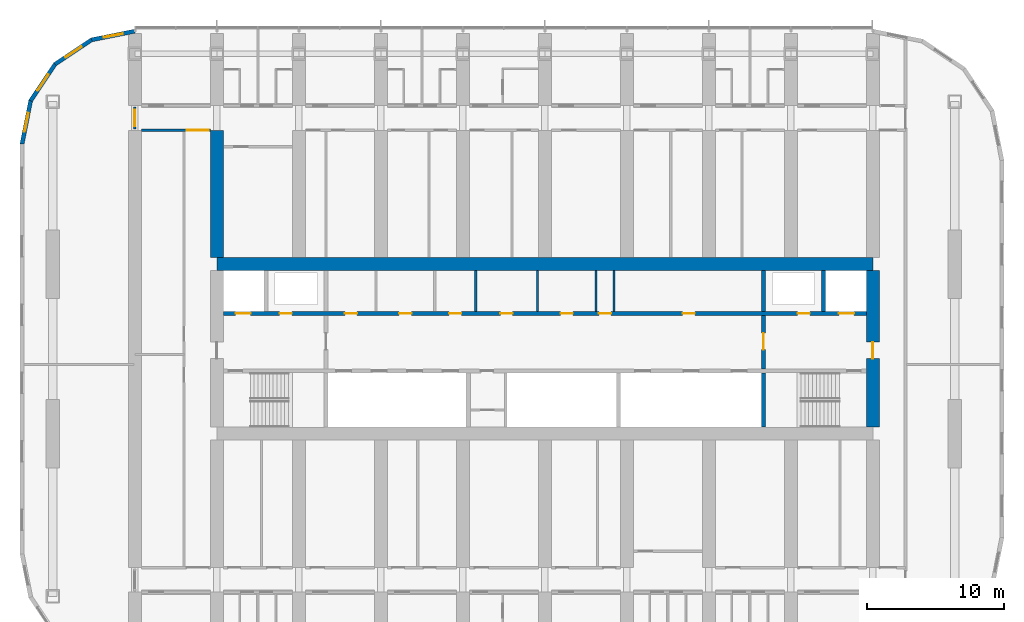
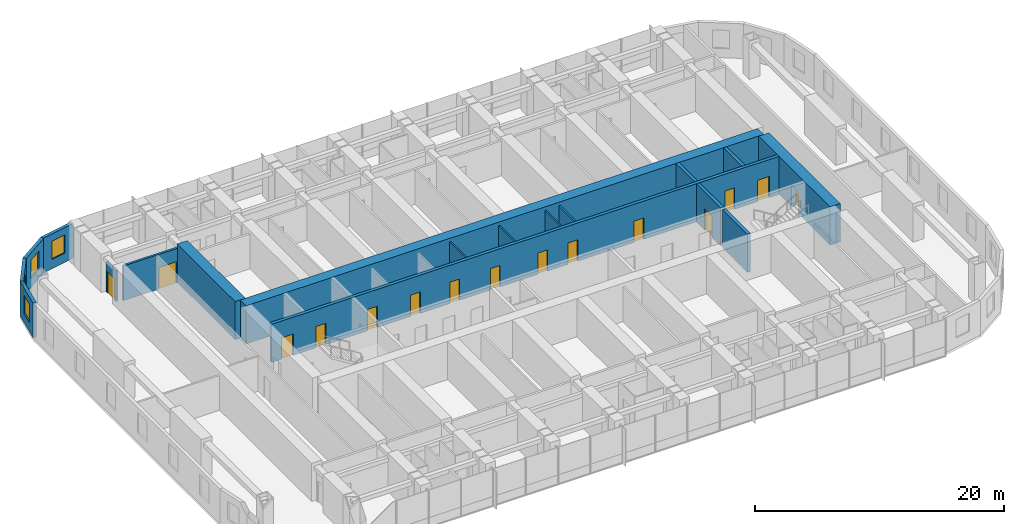
# One storey, part 12 of 20: 18 walls, 15 doors, 4 windows, 19 openings.
"""IFC4 building model written with IfcOpenShell, lengths in metres."""

from ifc_helpers import new_model, si_unit, direction, frame, frame_2d, origin, place, context, subcontext, project, spatial, polyline, rectangle, outline, extrude, material, layer, layer_set, type_object, element, fill, save


model = new_model("IFC4")

# Units and contexts
model_context = context("Model", 3, precision=1e-05, world=origin(), true_north=direction((0.0, 1.0)))
body_context = subcontext(model_context, "Body", "Model", "MODEL_VIEW")
ifc_project = project(units=[si_unit("LENGTHUNIT", "METRE"), si_unit("AREAUNIT", "SQUARE_METRE"), si_unit("VOLUMEUNIT", "CUBIC_METRE"), si_unit("PLANEANGLEUNIT", "RADIAN"), si_unit("MASSUNIT", "GRAM", prefix="KILO")], contexts=[model_context])

# Site, building, storey
site_placement = place(None, origin())
site = spatial("IfcSite", under=ifc_project, at=site_placement, CompositionType="ELEMENT")
building_placement = place(site_placement, origin())
building = spatial("IfcBuilding", under=site, at=building_placement, Name="Orbita Commons", CompositionType="ELEMENT")
storey_placement = place(building_placement, frame((0.0, 0.0, 129.39990234375)))
storey = spatial("IfcBuildingStorey", under=building, at=storey_placement, Name="L32", CompositionType="ELEMENT", Elevation=129.39990234375)

# Wall, openings, doors
ifc_material_1 = material(Name="Concrete C50/60", Category="concrete")
ifc_layer_1 = layer(ifc_material_1, 0.300048828125)
ifc_layer_set_1 = layer_set([ifc_layer_1], Name="Concrete C50/60")
wall_type_1 = type_object("IfcWallType", Name="Core inner wall 300 C50/60", PredefinedType="SHEAR", material=ifc_layer_set_1)
wall_1_placement = place(storey_placement, frame((18.47509765625, 34.60009765625, 0.0), z_axis=(0.0, 0.0, 1.0), x_axis=(1.0, 0.0, 0.0)))
wall_1 = element("IfcWall", 1, at=wall_1_placement, inside=storey, type_object=wall_type_1, Name="Lobby wall north L32", PredefinedType="SHEAR", context=body_context, shape_type="SweptSolid", body=[
    extrude(rectangle(XDim=47.0498046875, YDim=0.300048828125, at=frame_2d((23.52490234375, 0.0))), origin(), (0.0, 0.0, 1.0), 3.75),
])
opening_1_placement = place(wall_1_placement, frame((0.89990234375, 0.0, 0.0)))
opening_1 = element("IfcOpeningElement", 2, at=opening_1_placement, cuts=wall_1, Name="Opening LD01", PredefinedType="OPENING", context=body_context, shape_type="SweptSolid", body=[
    extrude(rectangle(XDim=1.10009765625, YDim=2.10009765625, at=frame_2d((0.550048828125, 1.050048828125))), frame((0.0, 0.159912109375, 0.0), z_axis=(0.0, -1.0, 0.0), x_axis=(1.0, 0.0, 0.0)), (0.0, 0.0, 1.0), 0.320068359375),
])
opening_2_placement = place(wall_1_placement, frame((45.050048828125, 0.0, 0.0)))
opening_2 = element("IfcOpeningElement", 3, at=opening_2_placement, cuts=wall_1, Name="Opening LD01", PredefinedType="OPENING", context=body_context, shape_type="SweptSolid", body=[
    extrude(rectangle(XDim=1.10009765625, YDim=2.10009765625, at=frame_2d((0.550048828125, 1.050048828125))), frame((0.0, 0.159912109375, 0.0), z_axis=(0.0, -1.0, 0.0), x_axis=(1.0, 0.0, 0.0)), (0.0, 0.0, 1.0), 0.320068359375),
])
opening_3_placement = place(wall_1_placement, frame((4.125, 0.0, 0.0)))
opening_3 = element("IfcOpeningElement", 4, at=opening_3_placement, cuts=wall_1, Name="Opening D03", PredefinedType="OPENING", context=body_context, shape_type="SweptSolid", body=[
    extrude(rectangle(XDim=0.89990234375, YDim=2.10009765625, at=frame_2d((0.449951171875, 1.050048828125))), frame((0.0, 0.159912109375, 0.0), z_axis=(0.0, -1.0, 0.0), x_axis=(1.0, 0.0, 0.0)), (0.0, 0.0, 1.0), 0.320068359375),
])
opening_4_placement = place(wall_1_placement, frame((42.02490234375, 0.0, 0.0)))
opening_4 = element("IfcOpeningElement", 5, at=opening_4_placement, cuts=wall_1, Name="Opening D03", PredefinedType="OPENING", context=body_context, shape_type="SweptSolid", body=[
    extrude(rectangle(XDim=0.89990234375, YDim=2.10009765625, at=frame_2d((0.449951171875, 1.050048828125))), frame((0.0, 0.159912109375, 0.0), z_axis=(0.0, -1.0, 0.0), x_axis=(1.0, 0.0, 0.0)), (0.0, 0.0, 1.0), 0.320068359375),
])
opening_5_placement = place(wall_1_placement, frame((8.900390625, 0.0, 0.0)))
opening_5 = element("IfcOpeningElement", 6, at=opening_5_placement, cuts=wall_1, Name="Opening D05", PredefinedType="OPENING", context=body_context, shape_type="SweptSolid", body=[
    extrude(rectangle(XDim=0.89990234375, YDim=2.10009765625, at=frame_2d((0.449951171875, 1.050048828125))), frame((0.0, 0.159912109375, 0.0), z_axis=(0.0, -1.0, 0.0), x_axis=(1.0, 0.0, 0.0)), (0.0, 0.0, 1.0), 0.320068359375),
])
opening_6_placement = place(wall_1_placement, frame((12.873779296875, 0.0, 0.0)))
opening_6 = element("IfcOpeningElement", 7, at=opening_6_placement, cuts=wall_1, Name="Opening D03", PredefinedType="OPENING", context=body_context, shape_type="SweptSolid", body=[
    extrude(rectangle(XDim=0.89990234375, YDim=2.10009765625, at=frame_2d((0.449951171875, 1.050048828125))), frame((0.0, 0.159912109375, 0.0), z_axis=(0.0, -1.0, 0.0), x_axis=(1.0, 0.0, 0.0)), (0.0, 0.0, 1.0), 0.320068359375),
])
opening_7_placement = place(wall_1_placement, frame((16.521240234375, 0.0, 0.0)))
opening_7 = element("IfcOpeningElement", 8, at=opening_7_placement, cuts=wall_1, Name="Opening D03", PredefinedType="OPENING", context=body_context, shape_type="SweptSolid", body=[
    extrude(rectangle(XDim=0.89990234375, YDim=2.10009765625, at=frame_2d((0.449951171875, 1.050048828125))), frame((0.0, 0.159912109375, 0.0), z_axis=(0.0, -1.0, 0.0), x_axis=(1.0, 0.0, 0.0)), (0.0, 0.0, 1.0), 0.320068359375),
])
opening_8_placement = place(wall_1_placement, frame((20.27978515625, 0.0, 0.0)))
opening_8 = element("IfcOpeningElement", 9, at=opening_8_placement, cuts=wall_1, Name="Opening D05", PredefinedType="OPENING", context=body_context, shape_type="SweptSolid", body=[
    extrude(rectangle(XDim=0.89990234375, YDim=2.10009765625, at=frame_2d((0.449951171875, 1.050048828125))), frame((0.0, 0.159912109375, 0.0), z_axis=(0.0, -1.0, 0.0), x_axis=(1.0, 0.0, 0.0)), (0.0, 0.0, 1.0), 0.320068359375),
])
opening_9_placement = place(wall_1_placement, frame((24.685791015625, 0.0, 0.0)))
opening_9 = element("IfcOpeningElement", 10, at=opening_9_placement, cuts=wall_1, Name="Opening D03", PredefinedType="OPENING", context=body_context, shape_type="SweptSolid", body=[
    extrude(rectangle(XDim=0.89990234375, YDim=2.10009765625, at=frame_2d((0.449951171875, 1.050048828125))), frame((0.0, 0.159912109375, 0.0), z_axis=(0.0, -1.0, 0.0), x_axis=(1.0, 0.0, 0.0)), (0.0, 0.0, 1.0), 0.320068359375),
])
opening_10_placement = place(wall_1_placement, frame((27.4833984375, 0.0, 0.0)))
opening_10 = element("IfcOpeningElement", 11, at=opening_10_placement, cuts=wall_1, Name="Opening D03", PredefinedType="OPENING", context=body_context, shape_type="SweptSolid", body=[
    extrude(rectangle(XDim=0.89990234375, YDim=2.10009765625, at=frame_2d((0.449951171875, 1.050048828125))), frame((0.0, 0.159912109375, 0.0), z_axis=(0.0, -1.0, 0.0), x_axis=(1.0, 0.0, 0.0)), (0.0, 0.0, 1.0), 0.320068359375),
])
opening_11_placement = place(wall_1_placement, frame((33.604248046875, 0.0, 0.0)))
opening_11 = element("IfcOpeningElement", 12, at=opening_11_placement, cuts=wall_1, Name="Opening D03", PredefinedType="OPENING", context=body_context, shape_type="SweptSolid", body=[
    extrude(rectangle(XDim=0.89990234375, YDim=2.10009765625, at=frame_2d((0.449951171875, 1.050048828125))), frame((0.0, 0.159912109375, 0.0), z_axis=(0.0, -1.0, 0.0), x_axis=(1.0, 0.0, 0.0)), (0.0, 0.0, 1.0), 0.320068359375),
])
ifc_material_2 = material(Name="Steel-faced fire door leaf", Category="steel")
door_type_1 = type_object("IfcDoorType", Name="Firefighting lift landing door 1100x2100", OperationType="DOUBLE_DOOR_SLIDING", PredefinedType="DOOR", material=ifc_material_2)
door_1_placement = place(opening_1_placement, origin())
door_1 = element("IfcDoor", 13, at=door_1_placement, inside=storey, type_object=door_type_1, Name="Firefighting lift FL1 landing door", OperationType="DOUBLE_DOOR_SLIDING", OverallHeight=2.10009765625, OverallWidth=1.10009765625, PredefinedType="DOOR", context=body_context, shape_type="SweptSolid", body=[
    extrude(rectangle(XDim=1.10009765625, YDim=2.10009765625, at=frame_2d((0.550048828125, 1.050048828125))), frame((0.0, 0.02490234375, 0.0), z_axis=(0.0, -1.0, 0.0), x_axis=(1.0, 0.0, 0.0)), (0.0, 0.0, 1.0), 0.050048828125),
])
fill(opening_1, door_1)
door_2_placement = place(opening_2_placement, origin())
door_2 = element("IfcDoor", 14, at=door_2_placement, inside=storey, type_object=door_type_1, Name="Firefighting lift FL2 landing door", OperationType="DOUBLE_DOOR_SLIDING", OverallHeight=2.10009765625, OverallWidth=1.10009765625, PredefinedType="DOOR", context=body_context, shape_type="SweptSolid", body=[
    extrude(rectangle(XDim=1.10009765625, YDim=2.10009765625, at=frame_2d((0.550048828125, 1.050048828125))), frame((0.0, 0.02490234375, 0.0), z_axis=(0.0, -1.0, 0.0), x_axis=(1.0, 0.0, 0.0)), (0.0, 0.0, 1.0), 0.050048828125),
])
fill(opening_2, door_2)
ifc_material_3 = material(Name="Steel-faced fire door leaf", Category="steel")
door_type_2 = type_object("IfcDoorType", Name="Service door 20 min 900x2100", OperationType="SINGLE_SWING_LEFT", PredefinedType="DOOR", material=ifc_material_3)
door_3_placement = place(opening_5_placement, origin())
door_3 = element("IfcDoor", 15, at=door_3_placement, inside=storey, type_object=door_type_2, Name="Staff WC door", OperationType="SINGLE_SWING_LEFT", OverallHeight=2.10009765625, OverallWidth=0.89990234375, PredefinedType="DOOR", context=body_context, shape_type="SweptSolid", body=[
    extrude(rectangle(XDim=0.89990234375, YDim=2.10009765625, at=frame_2d((0.449951171875, 1.050048828125))), frame((0.0, 0.02490234375, 0.0), z_axis=(0.0, -1.0, 0.0), x_axis=(1.0, 0.0, 0.0)), (0.0, 0.0, 1.0), 0.050048828125),
])
fill(opening_5, door_3)
door_4_placement = place(opening_8_placement, origin())
door_4 = element("IfcDoor", 16, at=door_4_placement, inside=storey, type_object=door_type_2, Name="Accessible WC door", OperationType="SINGLE_SWING_LEFT", OverallHeight=2.10009765625, OverallWidth=0.89990234375, PredefinedType="DOOR", context=body_context, shape_type="SweptSolid", body=[
    extrude(rectangle(XDim=0.89990234375, YDim=2.10009765625, at=frame_2d((0.449951171875, 1.050048828125))), frame((0.0, 0.02490234375, 0.0), z_axis=(0.0, -1.0, 0.0), x_axis=(1.0, 0.0, 0.0)), (0.0, 0.0, 1.0), 0.050048828125),
])
fill(opening_8, door_4)
ifc_material_4 = material(Name="Steel-faced fire door leaf", Category="steel")
door_type_3 = type_object("IfcDoorType", Name="Shaft access door 90 min 900x2100", OperationType="SINGLE_SWING_LEFT", PredefinedType="DOOR", material=ifc_material_4)
door_5_placement = place(opening_3_placement, origin())
door_5 = element("IfcDoor", 17, at=door_5_placement, inside=storey, type_object=door_type_3, Name="Riser door west", OperationType="SINGLE_SWING_LEFT", OverallHeight=2.10009765625, OverallWidth=0.89990234375, PredefinedType="DOOR", context=body_context, shape_type="SweptSolid", body=[
    extrude(rectangle(XDim=0.89990234375, YDim=2.10009765625, at=frame_2d((0.449951171875, 1.050048828125))), frame((0.0, 0.02490234375, 0.0), z_axis=(0.0, -1.0, 0.0), x_axis=(1.0, 0.0, 0.0)), (0.0, 0.0, 1.0), 0.050048828125),
])
fill(opening_3, door_5)
door_6_placement = place(opening_4_placement, origin())
door_6 = element("IfcDoor", 18, at=door_6_placement, inside=storey, type_object=door_type_3, Name="Riser door east", OperationType="SINGLE_SWING_LEFT", OverallHeight=2.10009765625, OverallWidth=0.89990234375, PredefinedType="DOOR", context=body_context, shape_type="SweptSolid", body=[
    extrude(rectangle(XDim=0.89990234375, YDim=2.10009765625, at=frame_2d((0.449951171875, 1.050048828125))), frame((0.0, 0.02490234375, 0.0), z_axis=(0.0, -1.0, 0.0), x_axis=(1.0, 0.0, 0.0)), (0.0, 0.0, 1.0), 0.050048828125),
])
fill(opening_4, door_6)
door_7_placement = place(opening_6_placement, origin())
door_7 = element("IfcDoor", 19, at=door_7_placement, inside=storey, type_object=door_type_3, Name="Refuse chute room door", OperationType="SINGLE_SWING_LEFT", OverallHeight=2.10009765625, OverallWidth=0.89990234375, PredefinedType="DOOR", context=body_context, shape_type="SweptSolid", body=[
    extrude(rectangle(XDim=0.89990234375, YDim=2.10009765625, at=frame_2d((0.449951171875, 1.050048828125))), frame((0.0, 0.02490234375, 0.0), z_axis=(0.0, -1.0, 0.0), x_axis=(1.0, 0.0, 0.0)), (0.0, 0.0, 1.0), 0.050048828125),
])
fill(opening_6, door_7)
door_8_placement = place(opening_7_placement, origin())
door_8 = element("IfcDoor", 20, at=door_8_placement, inside=storey, type_object=door_type_3, Name="Electrical riser room door", OperationType="SINGLE_SWING_LEFT", OverallHeight=2.10009765625, OverallWidth=0.89990234375, PredefinedType="DOOR", context=body_context, shape_type="SweptSolid", body=[
    extrude(rectangle(XDim=0.89990234375, YDim=2.10009765625, at=frame_2d((0.449951171875, 1.050048828125))), frame((0.0, 0.02490234375, 0.0), z_axis=(0.0, -1.0, 0.0), x_axis=(1.0, 0.0, 0.0)), (0.0, 0.0, 1.0), 0.050048828125),
])
fill(opening_7, door_8)
door_9_placement = place(opening_9_placement, origin())
door_9 = element("IfcDoor", 21, at=door_9_placement, inside=storey, type_object=door_type_3, Name="Communications room door", OperationType="SINGLE_SWING_LEFT", OverallHeight=2.10009765625, OverallWidth=0.89990234375, PredefinedType="DOOR", context=body_context, shape_type="SweptSolid", body=[
    extrude(rectangle(XDim=0.89990234375, YDim=2.10009765625, at=frame_2d((0.449951171875, 1.050048828125))), frame((0.0, 0.02490234375, 0.0), z_axis=(0.0, -1.0, 0.0), x_axis=(1.0, 0.0, 0.0)), (0.0, 0.0, 1.0), 0.050048828125),
])
fill(opening_9, door_9)
door_10_placement = place(opening_10_placement, origin())
door_10 = element("IfcDoor", 22, at=door_10_placement, inside=storey, type_object=door_type_3, Name="Stair pressurisation duct door", OperationType="SINGLE_SWING_LEFT", OverallHeight=2.10009765625, OverallWidth=0.89990234375, PredefinedType="DOOR", context=body_context, shape_type="SweptSolid", body=[
    extrude(rectangle(XDim=0.89990234375, YDim=2.10009765625, at=frame_2d((0.449951171875, 1.050048828125))), frame((0.0, 0.02490234375, 0.0), z_axis=(0.0, -1.0, 0.0), x_axis=(1.0, 0.0, 0.0)), (0.0, 0.0, 1.0), 0.050048828125),
])
fill(opening_10, door_10)
door_11_placement = place(opening_11_placement, origin())
door_11 = element("IfcDoor", 23, at=door_11_placement, inside=storey, type_object=door_type_3, Name="Linen and housekeeping store door", OperationType="SINGLE_SWING_LEFT", OverallHeight=2.10009765625, OverallWidth=0.89990234375, PredefinedType="DOOR", context=body_context, shape_type="SweptSolid", body=[
    extrude(rectangle(XDim=0.89990234375, YDim=2.10009765625, at=frame_2d((0.449951171875, 1.050048828125))), frame((0.0, 0.02490234375, 0.0), z_axis=(0.0, -1.0, 0.0), x_axis=(1.0, 0.0, 0.0)), (0.0, 0.0, 1.0), 0.050048828125),
])
fill(opening_11, door_11)

# Wall
wall_2_placement = place(storey_placement, frame((58.0, 26.27490234375, 0.0), z_axis=(0.0, 0.0, 1.0), x_axis=(0.0, 1.0, 0.0)))
element("IfcWall", 24, at=wall_2_placement, inside=storey, type_object=wall_type_1, Name="Stair S2 wall L32", PredefinedType="SHEAR", context=body_context, shape_type="SweptSolid", body=[
    extrude(rectangle(XDim=3.97509765625, YDim=0.300048828125, at=frame_2d((1.987548828125, 0.0))), origin(), (0.0, 0.0, 1.0), 3.75),
])

# Wall, opening, door
wall_3_placement = place(storey_placement, frame((58.0, 30.550048828125, 0.0), z_axis=(0.0, 0.0, 1.0), x_axis=(0.0, 1.0, 0.0)))
wall_3 = element("IfcWall", 25, at=wall_3_placement, inside=storey, type_object=wall_type_1, Name="Firefighting lobby wall east L32", PredefinedType="SHEAR", context=body_context, shape_type="SweptSolid", body=[
    extrude(rectangle(XDim=3.89990234375, YDim=0.300048828125, at=frame_2d((1.949951171875, 0.0))), origin(), (0.0, 0.0, 1.0), 3.75),
])
opening_12_placement = place(wall_3_placement, frame((1.39990234375, 0.0, 0.0)))
opening_12 = element("IfcOpeningElement", 26, at=opening_12_placement, cuts=wall_3, Name="Opening D04", PredefinedType="OPENING", context=body_context, shape_type="SweptSolid", body=[
    extrude(rectangle(XDim=1.199951171875, YDim=2.10009765625, at=frame_2d((0.60009765625, 1.050048828125))), frame((0.0, 0.159912109375, 0.0), z_axis=(0.0, -1.0, 0.0), x_axis=(1.0, 0.0, 0.0)), (0.0, 0.0, 1.0), 0.320068359375),
])
ifc_material_5 = material(Name="Steel-faced fire door leaf", Category="steel")
door_type_4 = type_object("IfcDoorType", Name="Service door 20 min 1200x2100", OperationType="SINGLE_SWING_LEFT", PredefinedType="DOOR", material=ifc_material_5)
door_12_placement = place(opening_12_placement, origin())
door_12 = element("IfcDoor", 27, at=door_12_placement, inside=storey, type_object=door_type_4, Name="Lift lobby door east", OperationType="SINGLE_SWING_LEFT", OverallHeight=2.10009765625, OverallWidth=1.199951171875, PredefinedType="DOOR", context=body_context, shape_type="SweptSolid", body=[
    extrude(rectangle(XDim=1.199951171875, YDim=2.10009765625, at=frame_2d((0.60009765625, 1.050048828125))), frame((0.0, 0.02490234375, 0.0), z_axis=(0.0, -1.0, 0.0), x_axis=(1.0, 0.0, 0.0)), (0.0, 0.0, 1.0), 0.050048828125),
])
fill(opening_12, door_12)

# Walls
for number, where, z_axis, x_axis, name in (
    (28, (62.39990234375, 34.75, 0.0), (0.0, 0.0, 1.0), (0.0, 1.0, 0.0), "Firefighting lift FL2 shaft wall L32"),
    (29, (58.0, 34.75, 0.0), (0.0, 0.0, 1.0), (0.0, 1.0, 0.0), "Riser wall east L32"),
):
    element("IfcWall", number, at=place(storey_placement, frame(where, z_axis=z_axis, x_axis=x_axis)), inside=storey, type_object=wall_type_1, Name=name, PredefinedType="SHEAR", context=body_context, shape_type="SweptSolid", body=[
        extrude(rectangle(XDim=2.97509765625, YDim=0.300048828125, at=frame_2d((1.487548828125, 0.0))), origin(), (0.0, 0.0, 1.0), 3.75),
    ])
ifc_material_6 = material(Name="Concrete blockwork", Category="masonry")
ifc_layer_2 = layer(ifc_material_6, 0.14990234375)
ifc_layer_set_2 = layer_set([ifc_layer_2], Name="Concrete blockwork")
wall_type_2 = type_object("IfcWallType", Name="Core partition 150 blockwork", PredefinedType="SOLIDWALL", material=ifc_layer_set_2)
for number, where, z_axis, x_axis, name in (
    (30, (36.9462890625, 34.75, 0.0), (0.0, 0.0, 1.0), (0.0, 1.0, 0.0), "Core partition 150 blockwork L32"),
    (31, (41.463134765625, 34.75, 0.0), (0.0, 0.0, 1.0), (0.0, 1.0, 0.0), "Core partition 150 blockwork L32"),
    (32, (45.75830078125, 34.75, 0.0), (0.0, 0.0, 1.0), (0.0, 1.0, 0.0), "Core partition 150 blockwork L32"),
    (33, (47.058349609375, 34.75, 0.0), (0.0, 0.0, 1.0), (0.0, 1.0, 0.0), "Core partition 150 blockwork L32"),
):
    element("IfcWall", number, at=place(storey_placement, frame(where, z_axis=z_axis, x_axis=x_axis)), inside=storey, type_object=wall_type_2, Name=name, PredefinedType="SOLIDWALL", context=body_context, shape_type="SweptSolid", body=[
        extrude(rectangle(XDim=2.97509765625, YDim=0.14990234375, at=frame_2d((1.487548828125, 0.0))), origin(), (0.0, 0.0, 1.0), 3.400146484375),
    ])
ifc_material_7 = material(Name="Concrete C50/60", Category="concrete")
ifc_layer_3 = layer(ifc_material_7, 0.949951171875)
ifc_layer_set_3 = layer_set([ifc_layer_3], Name="Concrete C50/60")
wall_type_3 = type_object("IfcWallType", Name="Core wall 950 C50/60", PredefinedType="SHEAR", material=ifc_layer_set_3)
wall_4_placement = place(storey_placement, frame((18.0, 38.199951171875, 0.0), z_axis=(0.0, 0.0, 1.0), x_axis=(1.0, 0.0, 0.0)))
element("IfcWall", 34, at=wall_4_placement, inside=storey, type_object=wall_type_3, Name="Core spine wall north L32", PredefinedType="SHEAR", context=body_context, shape_type="SweptSolid", body=[
    extrude(rectangle(XDim=48.0, YDim=0.949951171875, at=frame_2d((24.0, 0.0))), origin(), (0.0, 0.0, 1.0), 3.75),
])

# Wall, opening, door
wall_5_placement = place(storey_placement, frame((66.0, 26.27490234375, 0.0), z_axis=(0.0, 0.0, 1.0), x_axis=(0.0, 1.0, 0.0)))
wall_5 = element("IfcWall", 35, at=wall_5_placement, inside=storey, type_object=wall_type_3, Name="Core end wall east L32", PredefinedType="SHEAR", context=body_context, shape_type="SweptSolid", body=[
    extrude(rectangle(XDim=11.4501953125, YDim=0.949951171875, at=frame_2d((5.72509765625, 0.0))), origin(), (0.0, 0.0, 1.0), 3.75),
])
opening_13_placement = place(wall_5_placement, frame((5.02490234375, 0.0, 0.0)))
opening_13 = element("IfcOpeningElement", 36, at=opening_13_placement, cuts=wall_5, Name="Opening D01", PredefinedType="OPENING", context=body_context, shape_type="SweptSolid", body=[
    extrude(rectangle(XDim=1.199951171875, YDim=2.10009765625, at=frame_2d((0.60009765625, 1.050048828125))), frame((0.0, 0.48486328125, 0.0), z_axis=(0.0, -1.0, 0.0), x_axis=(1.0, 0.0, 0.0)), (0.0, 0.0, 1.0), 0.969970703125),
])
ifc_material_8 = material(Name="Steel-faced fire door leaf", Category="steel")
door_type_5 = type_object("IfcDoorType", Name="Fire door 90 min 1200x2100", OperationType="SINGLE_SWING_LEFT", PredefinedType="DOOR", material=ifc_material_8)
door_13_placement = place(opening_13_placement, origin())
door_13 = element("IfcDoor", 37, at=door_13_placement, inside=storey, type_object=door_type_5, Name="Firefighting lobby east door", OperationType="SINGLE_SWING_LEFT", OverallHeight=2.10009765625, OverallWidth=1.199951171875, PredefinedType="DOOR", context=body_context, shape_type="SweptSolid", body=[
    extrude(rectangle(XDim=1.199951171875, YDim=2.10009765625, at=frame_2d((0.60009765625, 1.050048828125))), frame((0.0, 0.02490234375, 0.0), z_axis=(0.0, -1.0, 0.0), x_axis=(1.0, 0.0, 0.0)), (0.0, 0.0, 1.0), 0.050048828125),
])
fill(opening_13, door_13)

ifc_material_9 = material(Name="Concrete blockwork", Category="masonry")
ifc_layer_4 = layer(ifc_material_9, 0.199951171875)
ifc_layer_set_4 = layer_set([ifc_layer_4], Name="Concrete blockwork")
wall_type_4 = type_object("IfcWallType", Name="Corridor wall 200 blockwork", PredefinedType="SOLIDWALL", material=ifc_layer_set_4)
wall_6_placement = place(storey_placement, frame((12.0, 48.10009765625, 0.0), z_axis=(0.0, 0.0, 1.0), x_axis=(0.0, 1.0, 0.0)))
wall_6 = element("IfcWall", 38, at=wall_6_placement, inside=storey, type_object=wall_type_4, Name="Corridor wall 200 blockwork L32", PredefinedType="SOLIDWALL", context=body_context, shape_type="SweptSolid", body=[
    extrude(outline(polyline([(0.0, 0.0), (1.599853515625, 0.0), (1.60009765625, 3.0), (0.0, 3.0), (0.0, 0.0)])), frame((0.0, 0.10009765625, 0.0), z_axis=(0.0, -1.0, 0.0), x_axis=(1.0, 0.0, 0.0)), (0.0, 0.0, 1.0), 0.199951171875),
])
opening_14_placement = place(wall_6_placement, frame((0.199951171875, 0.0, 0.0)))
opening_14 = element("IfcOpeningElement", 39, at=opening_14_placement, cuts=wall_6, Name="Opening D12", PredefinedType="OPENING", context=body_context, shape_type="SweptSolid", body=[
    extrude(rectangle(XDim=1.199951171875, YDim=2.10009765625, at=frame_2d((0.60009765625, 1.050048828125))), frame((0.0, 0.10986328125, 0.0), z_axis=(0.0, -1.0, 0.0), x_axis=(1.0, 0.0, 0.0)), (0.0, 0.0, 1.0), 0.219970703125),
])
ifc_material_10 = material(Name="Steel-faced fire door leaf", Category="steel")
door_type_6 = type_object("IfcDoorType", Name="Double corridor door 20 min 1200x2100", OperationType="DOUBLE_DOOR_SINGLE_SWING", PredefinedType="DOOR", material=ifc_material_10)
door_14_placement = place(opening_14_placement, origin())
door_14 = element("IfcDoor", 40, at=door_14_placement, inside=storey, type_object=door_type_6, Name="Lounge doors", OperationType="DOUBLE_DOOR_SINGLE_SWING", OverallHeight=2.10009765625, OverallWidth=1.199951171875, PredefinedType="DOOR", context=body_context, shape_type="SweptSolid", body=[
    extrude(rectangle(XDim=1.199951171875, YDim=2.10009765625, at=frame_2d((0.60009765625, 1.050048828125))), frame((0.0, 0.02490234375, 0.0), z_axis=(0.0, -1.0, 0.0), x_axis=(1.0, 0.0, 0.0)), (0.0, 0.0, 1.0), 0.050048828125),
])
fill(opening_14, door_14)

ifc_material_11 = material(Name="Hollow concrete block 200", Category="concrete")
ifc_layer_5 = layer(ifc_material_11, 0.199951171875)
ifc_layer_set_5 = layer_set([ifc_layer_5], Name="Hollow concrete block 200")
wall_type_5 = type_object("IfcWallType", Name="Corridor wall 200 hollow concrete block", PredefinedType="SOLIDWALL", material=ifc_layer_set_5)
wall_7_placement = place(storey_placement, frame((12.47509765625, 48.0, 0.0), z_axis=(0.0, 0.0, 1.0), x_axis=(1.0, 0.0, 0.0)))
wall_7 = element("IfcWall", 41, at=wall_7_placement, inside=storey, type_object=wall_type_5, Name="Corridor wall 200 hollow concrete block L32", PredefinedType="SOLIDWALL", context=body_context, shape_type="SweptSolid", body=[
    extrude(rectangle(XDim=5.0498046875, YDim=0.199951171875, at=frame_2d((2.52490234375, 0.0))), origin(), (0.0, 0.0, 1.0), 3.400146484375),
])
opening_15_placement = place(wall_7_placement, frame((3.324951171875, 0.0, 0.0)))
opening_15 = element("IfcOpeningElement", 42, at=opening_15_placement, cuts=wall_7, Name="Opening D10", PredefinedType="OPENING", context=body_context, shape_type="SweptSolid", body=[
    extrude(rectangle(XDim=1.60009765625, YDim=2.10009765625, at=frame_2d((0.800048828125, 1.050048828125))), frame((0.0, 0.10986328125, 0.0), z_axis=(0.0, -1.0, 0.0), x_axis=(1.0, 0.0, 0.0)), (0.0, 0.0, 1.0), 0.219970703125),
])
ifc_material_12 = material(Name="Steel-faced fire door leaf", Category="steel")
door_type_7 = type_object("IfcDoorType", Name="Double corridor door 20 min 1600x2100", OperationType="DOUBLE_DOOR_SINGLE_SWING", PredefinedType="DOOR", material=ifc_material_12)
door_15_placement = place(opening_15_placement, origin())
door_15 = element("IfcDoor", 43, at=door_15_placement, inside=storey, type_object=door_type_7, Name="Cross corridor doors", OperationType="DOUBLE_DOOR_SINGLE_SWING", OverallHeight=2.10009765625, OverallWidth=1.60009765625, PredefinedType="DOOR", context=body_context, shape_type="SweptSolid", body=[
    extrude(rectangle(XDim=1.60009765625, YDim=2.10009765625, at=frame_2d((0.800048828125, 1.050048828125))), frame((0.0, 0.02490234375, 0.0), z_axis=(0.0, -1.0, 0.0), x_axis=(1.0, 0.0, 0.0)), (0.0, 0.0, 1.0), 0.050048828125),
])
fill(opening_15, door_15)

# Wall
ifc_material_13 = material(Name="Concrete C50/60", Category="concrete")
ifc_layer_6 = layer(ifc_material_13, 0.949951171875)
ifc_layer_set_6 = layer_set([ifc_layer_6], Name="Concrete C50/60")
wall_type_6 = type_object("IfcWallType", Name="Cross wall 950 C50/60", PredefinedType="SHEAR", material=ifc_layer_set_6)
wall_8_placement = place(storey_placement, frame((18.0, 38.675048828125, 0.0), z_axis=(0.0, 0.0, 1.0), x_axis=(0.0, 1.0, 0.0)))
element("IfcWall", 44, at=wall_8_placement, inside=storey, type_object=wall_type_6, Name="Cross wall 4 north inner L32", PredefinedType="SHEAR", context=body_context, shape_type="SweptSolid", body=[
    extrude(rectangle(XDim=9.324951171875, YDim=0.949951171875, at=frame_2d((4.66259765625, 0.0))), origin(), (0.0, 0.0, 1.0), 3.75),
])

# Wall, opening, window
ifc_material_14 = material(Name="Precast concrete C40/50, white board-marked finish", Category="concrete")
ifc_layer_7 = layer(ifc_material_14, 0.300048828125)
ifc_layer_set_7 = layer_set([ifc_layer_7], Name="Precast concrete C40/50, white board-marked finish")
wall_type_7 = type_object("IfcWallType", Name="Precast concrete end shield 300", PredefinedType="SOLIDWALL", material=ifc_layer_set_7)
wall_9_placement = place(storey_placement, frame((12.0, 55.25, 0.0), z_axis=(0.0, 0.0, 1.0), x_axis=(-0.980787251524, -0.195080412259, 0.0)))
wall_9 = element("IfcWall", 45, at=wall_9_placement, inside=storey, type_object=wall_type_7, Name="End shield NW chord 1 L32", PredefinedType="SOLIDWALL", context=body_context, shape_type="SweptSolid", body=[
    extrude(outline(polyline([(-0.02978515625, -0.14990234375), (3.24853515625, -0.14990234375), (3.18896484375, 0.14990234375), (0.02978515625, 0.14990234375), (-0.02978515625, -0.14990234375)])), origin(), (0.0, 0.0, 1.0), 3.400146484375),
])
opening_16_placement = place(wall_9_placement, frame((0.909423828125, 0.0, 0.89990234375)))
opening_16 = element("IfcOpeningElement", 46, at=opening_16_placement, cuts=wall_9, Name="Opening W02", PredefinedType="OPENING", context=body_context, shape_type="SweptSolid", body=[
    extrude(rectangle(XDim=1.39990234375, YDim=1.800048828125, at=frame_2d((0.699951171875, 0.89990234375))), frame((0.0, 0.159912109375, 0.0), z_axis=(0.0, -1.0, 0.0), x_axis=(1.0, 0.0, 0.0)), (0.0, 0.0, 1.0), 0.320068359375),
])
ifc_material_15 = material(Name="Aluminium frame, clear double glazing", Category="aluminium")
window_type = type_object("IfcWindowType", Name="Deep-set window 1400x1800", PartitioningType="SINGLE_PANEL", PredefinedType="WINDOW", material=ifc_material_15)
window_1_placement = place(opening_16_placement, origin())
window_1 = element("IfcWindow", 47, at=window_1_placement, inside=storey, type_object=window_type, Name="Window L32-NW0", OverallHeight=1.800048828125, OverallWidth=1.39990234375, PartitioningType="SINGLE_PANEL", PredefinedType="WINDOW", context=body_context, shape_type="SweptSolid", body=[
    extrude(rectangle(XDim=1.39990234375, YDim=1.800048828125, at=frame_2d((0.699951171875, 0.89990234375))), frame((0.0, 0.030029296875, 0.0), z_axis=(0.0, -1.0, 0.0), x_axis=(1.0, 0.0, 0.0)), (0.0, 0.0, 1.0), 0.06005859375),
])
fill(opening_16, window_1)

wall_10_placement = place(storey_placement, frame((8.843017578125, 54.6220703125, 0.0), z_axis=(0.0, 0.0, 1.0), x_axis=(-0.831443069936, -0.555609954424, 0.0)))
wall_10 = element("IfcWall", 48, at=wall_10_placement, inside=storey, type_object=wall_type_7, Name="End shield NW chord 2 L32", PredefinedType="SOLIDWALL", context=body_context, shape_type="SweptSolid", body=[
    extrude(outline(polyline([(-0.02978515625, -0.14990234375), (3.2490234375, -0.14990234375), (3.189453125, 0.14990234375), (0.02978515625, 0.14990234375), (-0.02978515625, -0.14990234375)])), origin(), (0.0, 0.0, 1.0), 3.400146484375),
])
opening_17_placement = place(wall_10_placement, frame((0.909423828125, 0.0, 0.89990234375)))
opening_17 = element("IfcOpeningElement", 49, at=opening_17_placement, cuts=wall_10, Name="Opening W02", PredefinedType="OPENING", context=body_context, shape_type="SweptSolid", body=[
    extrude(rectangle(XDim=1.39990234375, YDim=1.800048828125, at=frame_2d((0.699951171875, 0.89990234375))), frame((0.0, 0.159912109375, 0.0), z_axis=(0.0, -1.0, 0.0), x_axis=(1.0, 0.0, 0.0)), (0.0, 0.0, 1.0), 0.320068359375),
])
window_2_placement = place(opening_17_placement, origin())
window_2 = element("IfcWindow", 50, at=window_2_placement, inside=storey, type_object=window_type, Name="Window L32-NW1", OverallHeight=1.800048828125, OverallWidth=1.39990234375, PartitioningType="SINGLE_PANEL", PredefinedType="WINDOW", context=body_context, shape_type="SweptSolid", body=[
    extrude(rectangle(XDim=1.39990234375, YDim=1.800048828125, at=frame_2d((0.699951171875, 0.89990234375))), frame((0.0, 0.030029296875, 0.0), z_axis=(0.0, -1.0, 0.0), x_axis=(1.0, 0.0, 0.0)), (0.0, 0.0, 1.0), 0.06005859375),
])
fill(opening_17, window_2)

wall_11_placement = place(storey_placement, frame((6.16650390625, 52.83349609375, 0.0), z_axis=(0.0, 0.0, 1.0), x_axis=(-0.555609954424, -0.831443069936, 0.0)))
wall_11 = element("IfcWall", 51, at=wall_11_placement, inside=storey, type_object=wall_type_7, Name="End shield NW chord 3 L32", PredefinedType="SOLIDWALL", context=body_context, shape_type="SweptSolid", body=[
    extrude(outline(polyline([(-0.02978515625, -0.14990234375), (3.2490234375, -0.14990234375), (3.189453125, 0.14990234375), (0.02978515625, 0.14990234375), (-0.02978515625, -0.14990234375)])), origin(), (0.0, 0.0, 1.0), 3.400146484375),
])
opening_18_placement = place(wall_11_placement, frame((0.909423828125, 0.0, 0.89990234375)))
opening_18 = element("IfcOpeningElement", 52, at=opening_18_placement, cuts=wall_11, Name="Opening W02", PredefinedType="OPENING", context=body_context, shape_type="SweptSolid", body=[
    extrude(rectangle(XDim=1.39990234375, YDim=1.800048828125, at=frame_2d((0.699951171875, 0.89990234375))), frame((0.0, 0.159912109375, 0.0), z_axis=(0.0, -1.0, 0.0), x_axis=(1.0, 0.0, 0.0)), (0.0, 0.0, 1.0), 0.320068359375),
])
window_3_placement = place(opening_18_placement, origin())
window_3 = element("IfcWindow", 53, at=window_3_placement, inside=storey, type_object=window_type, Name="Window L32-NW2", OverallHeight=1.800048828125, OverallWidth=1.39990234375, PartitioningType="SINGLE_PANEL", PredefinedType="WINDOW", context=body_context, shape_type="SweptSolid", body=[
    extrude(rectangle(XDim=1.39990234375, YDim=1.800048828125, at=frame_2d((0.699951171875, 0.89990234375))), frame((0.0, 0.030029296875, 0.0), z_axis=(0.0, -1.0, 0.0), x_axis=(1.0, 0.0, 0.0)), (0.0, 0.0, 1.0), 0.06005859375),
])
fill(opening_18, window_3)

wall_12_placement = place(storey_placement, frame((4.3779296875, 50.156982421875, 0.0), z_axis=(0.0, 0.0, 1.0), x_axis=(-0.195080412259, -0.980787251524, 0.0)))
wall_12 = element("IfcWall", 54, at=wall_12_placement, inside=storey, type_object=wall_type_7, Name="End shield NW chord 4 L32", PredefinedType="SOLIDWALL", context=body_context, shape_type="SweptSolid", body=[
    extrude(outline(polyline([(-0.02978515625, -0.14990234375), (3.233642578125, -0.14990234375), (3.203857421875, 0.14990234375), (0.02978515625, 0.14990234375), (-0.02978515625, -0.14990234375)])), origin(), (0.0, 0.0, 1.0), 3.400146484375),
])
opening_19_placement = place(wall_12_placement, frame((0.909423828125, 0.0, 0.89990234375)))
opening_19 = element("IfcOpeningElement", 55, at=opening_19_placement, cuts=wall_12, Name="Opening W02", PredefinedType="OPENING", context=body_context, shape_type="SweptSolid", body=[
    extrude(rectangle(XDim=1.39990234375, YDim=1.800048828125, at=frame_2d((0.699951171875, 0.89990234375))), frame((0.0, 0.159912109375, 0.0), z_axis=(0.0, -1.0, 0.0), x_axis=(1.0, 0.0, 0.0)), (0.0, 0.0, 1.0), 0.320068359375),
])
window_4_placement = place(opening_19_placement, origin())
window_4 = element("IfcWindow", 56, at=window_4_placement, inside=storey, type_object=window_type, Name="Window L32-NW3", OverallHeight=1.800048828125, OverallWidth=1.39990234375, PartitioningType="SINGLE_PANEL", PredefinedType="WINDOW", context=body_context, shape_type="SweptSolid", body=[
    extrude(rectangle(XDim=1.39990234375, YDim=1.800048828125, at=frame_2d((0.699951171875, 0.89990234375))), frame((0.0, 0.030029296875, 0.0), z_axis=(0.0, -1.0, 0.0), x_axis=(1.0, 0.0, 0.0)), (0.0, 0.0, 1.0), 0.06005859375),
])
fill(opening_19, window_4)

save(model, "model.ifc")
